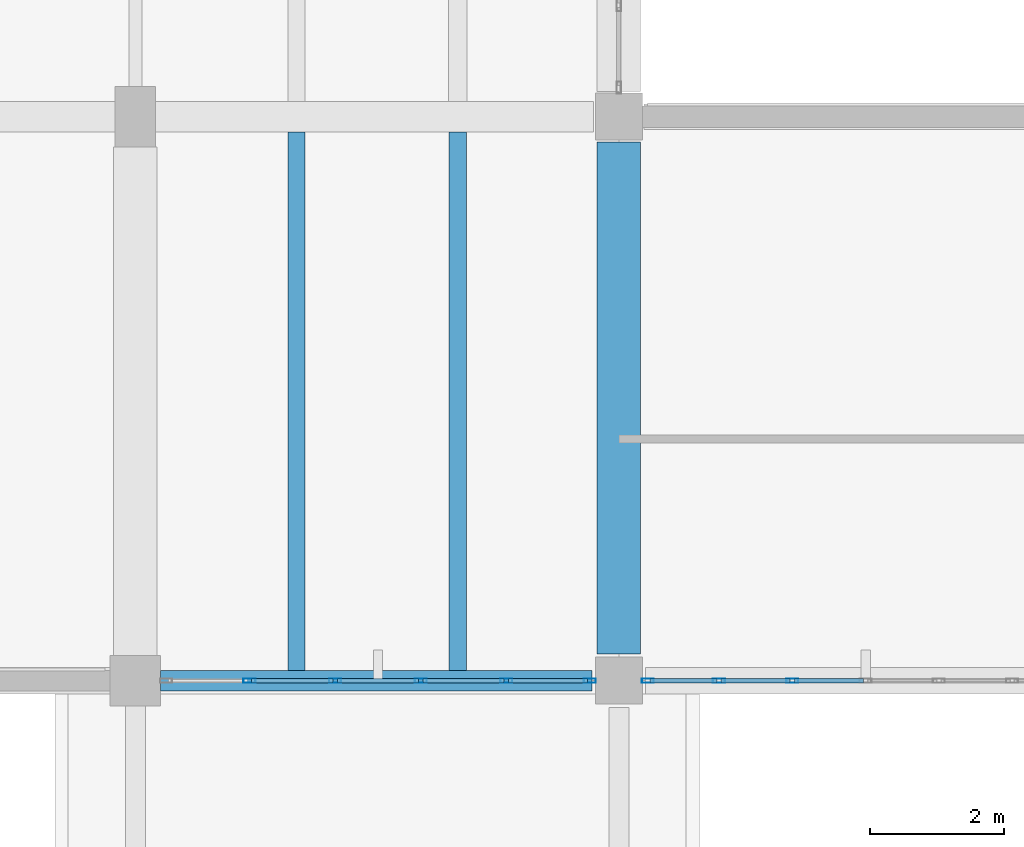
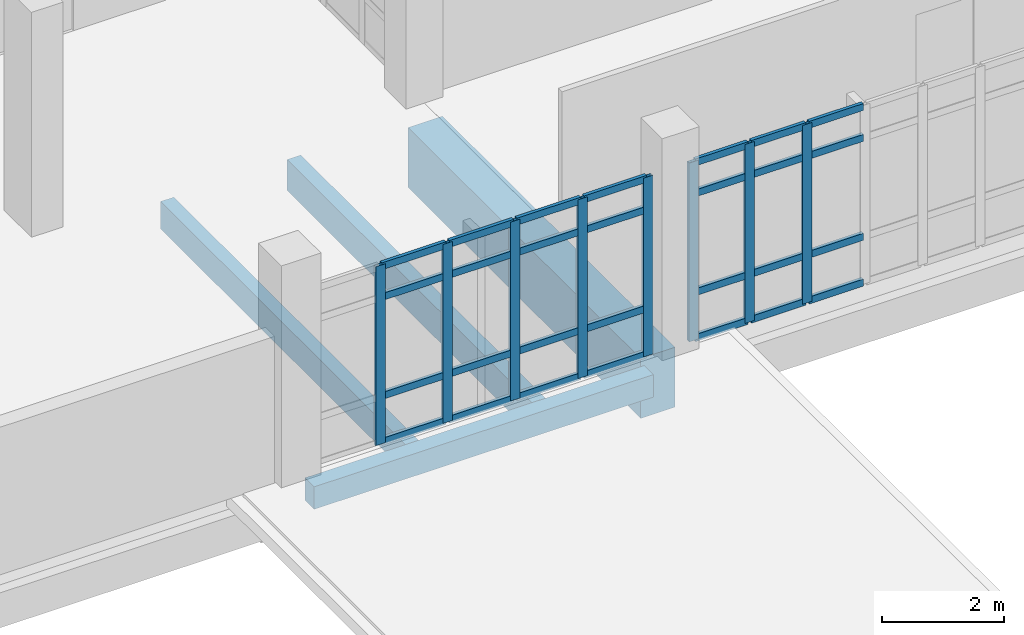
# One storey, part 69 of 134: 36 members, 4 beams, 2 elements without a shape of their own.
"""IFC4 building model written with IfcOpenShell, lengths in metres."""

from ifc_helpers import new_model, si_unit, direction, frame, origin, origin_2d, place, context, subcontext, project, spatial, rectangle, hollow_rectangle, extrude, material, material_profile, profile_set, type_object, element, aggregate, save


model = new_model("IFC4")

# Units and contexts
model_context = context("Model", 3, precision=1e-05, world=origin(), true_north=direction((0.0, 1.0)))
body_context = subcontext(model_context, "Body", "Model", "MODEL_VIEW")
ifc_project = project(units=[si_unit("LENGTHUNIT", "METRE"), si_unit("AREAUNIT", "SQUARE_METRE"), si_unit("VOLUMEUNIT", "CUBIC_METRE"), si_unit("PLANEANGLEUNIT", "RADIAN"), si_unit("MASSUNIT", "GRAM", prefix="KILO")], contexts=[model_context])

# Site, building, storey
site_placement = place(None, origin())
site = spatial("IfcSite", under=ifc_project, at=site_placement, CompositionType="ELEMENT")
building_placement = place(site_placement, origin())
building = spatial("IfcBuilding", under=site, at=building_placement, Name="Kalluvel Institute of Natural Sciences", CompositionType="ELEMENT")
storey_placement = place(building_placement, frame((0.0, 0.0, 5.39990234375)))
storey = spatial("IfcBuildingStorey", under=building, at=storey_placement, Name="L01", CompositionType="ELEMENT", Elevation=5.39990234375)

# Beam
ifc_material_1 = material(Name="Concrete M50", Category="concrete")
ifc_material_profile_1 = material_profile(ifc_material_1, rectangle(XDim=0.64990234375, YDim=1.199951171875, at=origin_2d()), Name="RCB 650x1200")
ifc_profile_set_1 = profile_set([ifc_material_profile_1], Name="Concrete M50")
beam_type_1 = type_object("IfcBeamType", Name="BM-RC650x1200", PredefinedType="BEAM", material=ifc_profile_set_1)
beam_1_placement = place(storey_placement, frame((114.800048828125, 103.199951171875, -0.9599609375), z_axis=(0.0, 1.0, 0.0), x_axis=(-1.0, 0.0, 0.0)))
element("IfcBeam", 1, at=beam_1_placement, inside=storey, type_object=beam_type_1, Name="L01 girder GIR-L01-NS-X1148-Y1028", PredefinedType="BEAM", context=body_context, shape_type="SweptSolid", body=[
    extrude(rectangle(XDim=0.64990234375, YDim=1.199951171875, at=origin_2d()), origin(), (0.0, 0.0, 1.0), 7.625),
])

# Curtain wall, members
ifc_material_2 = material(Name="Aluminium AW-6063 T6", Category="aluminium")
curtain_wall_type_1 = type_object("IfcCurtainWallType", Name="CW-WET-45", PredefinedType="USERDEFINED", material=ifc_material_2)
curtain_wall_1_placement = place(storey_placement, origin())
curtain_wall_1 = element("IfcCurtainWall", 2, at=curtain_wall_1_placement, inside=storey, type_object=curtain_wall_type_1, Name="L01 Gothic lancet curtain wall CWA-L01-X1080-Y1028", ObjectType="UNITISED LANCET FACADE", PredefinedType="USERDEFINED")
ifc_material_profile_2 = material_profile(ifc_material_2, hollow_rectangle(XDim=0.06494140625, YDim=0.179931640625, WallThickness=0.00439453125, at=origin_2d()), Name="CWM 65x180")
ifc_profile_set_2 = profile_set([ifc_material_profile_2], Name="Aluminium AW-6063 T6")
member_type_1 = type_object("IfcMemberType", Name="CWM-65x180", PredefinedType="MULLION", material=ifc_profile_set_2)
member_1_placement = place(storey_placement, frame((109.300048828125, 102.800048828125, 0.0), z_axis=(0.0, 0.0, 1.0), x_axis=(0.0, 1.0, 0.0)))
member_1 = element("IfcMember", 3, at=member_1_placement, type_object=member_type_1, Name="CW-01 mullion 2", PredefinedType="MULLION", context=body_context, shape_type="SweptSolid", body=[
    extrude(hollow_rectangle(XDim=0.06494140625, YDim=0.179931640625, WallThickness=0.00439453125, at=origin_2d()), origin(), (0.0, 0.0, 1.0), 3.580078125),
])
member_2_placement = place(storey_placement, frame((110.574951171875, 102.800048828125, 0.0), z_axis=(0.0, 0.0, 1.0), x_axis=(0.0, 1.0, 0.0)))
member_2 = element("IfcMember", 4, at=member_2_placement, type_object=member_type_1, Name="CW-01 mullion 3", PredefinedType="MULLION", context=body_context, shape_type="SweptSolid", body=[
    extrude(hollow_rectangle(XDim=0.06494140625, YDim=0.179931640625, WallThickness=0.00439453125, at=origin_2d()), origin(), (0.0, 0.0, 1.0), 3.580078125),
])
member_3_placement = place(storey_placement, frame((111.85009765625, 102.800048828125, 0.0), z_axis=(0.0, 0.0, 1.0), x_axis=(0.0, 1.0, 0.0)))
member_3 = element("IfcMember", 5, at=member_3_placement, type_object=member_type_1, Name="CW-01 mullion 4", PredefinedType="MULLION", context=body_context, shape_type="SweptSolid", body=[
    extrude(hollow_rectangle(XDim=0.06494140625, YDim=0.179931640625, WallThickness=0.00439453125, at=origin_2d()), origin(), (0.0, 0.0, 1.0), 3.580078125),
])
member_4_placement = place(storey_placement, frame((113.125, 102.800048828125, 0.0), z_axis=(0.0, 0.0, 1.0), x_axis=(0.0, 1.0, 0.0)))
member_4 = element("IfcMember", 6, at=member_4_placement, type_object=member_type_1, Name="CW-01 mullion 5", PredefinedType="MULLION", context=body_context, shape_type="SweptSolid", body=[
    extrude(hollow_rectangle(XDim=0.06494140625, YDim=0.179931640625, WallThickness=0.00439453125, at=origin_2d()), origin(), (0.0, 0.0, 1.0), 3.580078125),
])
member_5_placement = place(storey_placement, frame((114.367431640625, 102.800048828125, 0.0), z_axis=(0.0, 0.0, 1.0), x_axis=(0.0, 1.0, 0.0)))
member_5 = element("IfcMember", 7, at=member_5_placement, type_object=member_type_1, Name="CW-01 mullion 6", PredefinedType="MULLION", context=body_context, shape_type="SweptSolid", body=[
    extrude(hollow_rectangle(XDim=0.06494140625, YDim=0.179931640625, WallThickness=0.00439453125, at=origin_2d()), origin(), (0.0, 0.0, 1.0), 3.580078125),
])

curtain_wall_type_2 = type_object("IfcCurtainWallType", Name="CW-CLN-45", PredefinedType="USERDEFINED", material=ifc_material_2)
curtain_wall_2_placement = place(storey_placement, origin())
curtain_wall_2 = element("IfcCurtainWall", 8, at=curtain_wall_2_placement, inside=storey, type_object=curtain_wall_type_2, Name="L01 Gothic lancet curtain wall CWA-L01-X1152-Y1028", ObjectType="UNITISED LANCET FACADE", PredefinedType="USERDEFINED")
member_6_placement = place(storey_placement, frame((115.232421875, 102.800048828125, 0.0), z_axis=(0.0, 0.0, 1.0), x_axis=(0.0, 1.0, 0.0)))
member_6 = element("IfcMember", 9, at=member_6_placement, type_object=member_type_1, Name="CW-08 mullion 1", PredefinedType="MULLION", context=body_context, shape_type="SweptSolid", body=[
    extrude(hollow_rectangle(XDim=0.06494140625, YDim=0.179931640625, WallThickness=0.00439453125, at=origin_2d()), origin(), (0.0, 0.0, 1.0), 3.580078125),
])
member_7_placement = place(storey_placement, frame((116.291748046875, 102.800048828125, 0.0), z_axis=(0.0, 0.0, 1.0), x_axis=(0.0, 1.0, 0.0)))
member_7 = element("IfcMember", 10, at=member_7_placement, type_object=member_type_1, Name="CW-08 mullion 2", PredefinedType="MULLION", context=body_context, shape_type="SweptSolid", body=[
    extrude(hollow_rectangle(XDim=0.06494140625, YDim=0.179931640625, WallThickness=0.00439453125, at=origin_2d()), origin(), (0.0, 0.0, 1.0), 3.580078125),
])
member_8_placement = place(storey_placement, frame((117.38330078125, 102.800048828125, 0.0), z_axis=(0.0, 0.0, 1.0), x_axis=(0.0, 1.0, 0.0)))
member_8 = element("IfcMember", 11, at=member_8_placement, type_object=member_type_1, Name="CW-08 mullion 3", PredefinedType="MULLION", context=body_context, shape_type="SweptSolid", body=[
    extrude(hollow_rectangle(XDim=0.06494140625, YDim=0.179931640625, WallThickness=0.00439453125, at=origin_2d()), origin(), (0.0, 0.0, 1.0), 3.580078125),
])

# Member
ifc_material_profile_3 = material_profile(ifc_material_2, hollow_rectangle(XDim=0.06494140625, YDim=0.139892578125, WallThickness=0.00439453125, at=origin_2d()), Name="CWT 65x140")
ifc_profile_set_3 = profile_set([ifc_material_profile_3], Name="Aluminium AW-6063 T6")
member_type_2 = type_object("IfcMemberType", Name="CWT-65x140", PredefinedType="USERDEFINED", material=ifc_profile_set_3)
member_9_placement = place(storey_placement, frame((109.33251953125, 102.800048828125, 0.03271484375), z_axis=(1.0, 0.0, 0.0), x_axis=(0.0, 1.0, 0.0)))
member_9 = element("IfcMember", 12, at=member_9_placement, type_object=member_type_2, Name="CW-01 transom 2.1", ObjectType="TRANSOM", PredefinedType="USERDEFINED", context=body_context, shape_type="SweptSolid", body=[
    extrude(hollow_rectangle(XDim=0.06494140625, YDim=0.139892578125, WallThickness=0.00439453125, at=origin_2d()), origin(), (0.0, 0.0, 1.0), 1.2099609375),
])

member_10_placement = place(storey_placement, frame((109.33251953125, 102.800048828125, 0.9501953125), z_axis=(1.0, 0.0, 0.0), x_axis=(0.0, 1.0, 0.0)))
member_10 = element("IfcMember", 13, at=member_10_placement, type_object=member_type_2, Name="CW-01 transom 2.2", ObjectType="TRANSOM", PredefinedType="USERDEFINED", context=body_context, shape_type="SweptSolid", body=[
    extrude(hollow_rectangle(XDim=0.06494140625, YDim=0.139892578125, WallThickness=0.00439453125, at=origin_2d()), origin(), (0.0, 0.0, 1.0), 1.2099609375),
])

member_11_placement = place(storey_placement, frame((109.33251953125, 102.800048828125, 2.93017578125), z_axis=(1.0, 0.0, 0.0), x_axis=(0.0, 1.0, 0.0)))
member_11 = element("IfcMember", 14, at=member_11_placement, type_object=member_type_2, Name="CW-01 transom 2.3", ObjectType="TRANSOM", PredefinedType="USERDEFINED", context=body_context, shape_type="SweptSolid", body=[
    extrude(hollow_rectangle(XDim=0.06494140625, YDim=0.139892578125, WallThickness=0.00439453125, at=origin_2d()), origin(), (0.0, 0.0, 1.0), 1.2099609375),
])

member_12_placement = place(storey_placement, frame((109.33251953125, 102.800048828125, 3.547607421875), z_axis=(1.0, 0.0, 0.0), x_axis=(0.0, 1.0, 0.0)))
member_12 = element("IfcMember", 15, at=member_12_placement, type_object=member_type_2, Name="CW-01 transom 2.4", ObjectType="TRANSOM", PredefinedType="USERDEFINED", context=body_context, shape_type="SweptSolid", body=[
    extrude(hollow_rectangle(XDim=0.06494140625, YDim=0.139892578125, WallThickness=0.00439453125, at=origin_2d()), origin(), (0.0, 0.0, 1.0), 1.2099609375),
])

member_13_placement = place(storey_placement, frame((110.607421875, 102.800048828125, 0.03271484375), z_axis=(1.0, 0.0, 0.0), x_axis=(0.0, 1.0, 0.0)))
member_13 = element("IfcMember", 16, at=member_13_placement, type_object=member_type_2, Name="CW-01 transom 3.1", ObjectType="TRANSOM", PredefinedType="USERDEFINED", context=body_context, shape_type="SweptSolid", body=[
    extrude(hollow_rectangle(XDim=0.06494140625, YDim=0.139892578125, WallThickness=0.00439453125, at=origin_2d()), origin(), (0.0, 0.0, 1.0), 1.2099609375),
])

member_14_placement = place(storey_placement, frame((110.607421875, 102.800048828125, 0.9501953125), z_axis=(1.0, 0.0, 0.0), x_axis=(0.0, 1.0, 0.0)))
member_14 = element("IfcMember", 17, at=member_14_placement, type_object=member_type_2, Name="CW-01 transom 3.2", ObjectType="TRANSOM", PredefinedType="USERDEFINED", context=body_context, shape_type="SweptSolid", body=[
    extrude(hollow_rectangle(XDim=0.06494140625, YDim=0.139892578125, WallThickness=0.00439453125, at=origin_2d()), origin(), (0.0, 0.0, 1.0), 1.2099609375),
])

member_15_placement = place(storey_placement, frame((110.607421875, 102.800048828125, 2.93017578125), z_axis=(1.0, 0.0, 0.0), x_axis=(0.0, 1.0, 0.0)))
member_15 = element("IfcMember", 18, at=member_15_placement, type_object=member_type_2, Name="CW-01 transom 3.3", ObjectType="TRANSOM", PredefinedType="USERDEFINED", context=body_context, shape_type="SweptSolid", body=[
    extrude(hollow_rectangle(XDim=0.06494140625, YDim=0.139892578125, WallThickness=0.00439453125, at=origin_2d()), origin(), (0.0, 0.0, 1.0), 1.2099609375),
])

member_16_placement = place(storey_placement, frame((110.607421875, 102.800048828125, 3.547607421875), z_axis=(1.0, 0.0, 0.0), x_axis=(0.0, 1.0, 0.0)))
member_16 = element("IfcMember", 19, at=member_16_placement, type_object=member_type_2, Name="CW-01 transom 3.4", ObjectType="TRANSOM", PredefinedType="USERDEFINED", context=body_context, shape_type="SweptSolid", body=[
    extrude(hollow_rectangle(XDim=0.06494140625, YDim=0.139892578125, WallThickness=0.00439453125, at=origin_2d()), origin(), (0.0, 0.0, 1.0), 1.2099609375),
])

member_17_placement = place(storey_placement, frame((111.882568359375, 102.800048828125, 0.03271484375), z_axis=(1.0, 0.0, 0.0), x_axis=(0.0, 1.0, 0.0)))
member_17 = element("IfcMember", 20, at=member_17_placement, type_object=member_type_2, Name="CW-01 transom 4.1", ObjectType="TRANSOM", PredefinedType="USERDEFINED", context=body_context, shape_type="SweptSolid", body=[
    extrude(hollow_rectangle(XDim=0.06494140625, YDim=0.139892578125, WallThickness=0.00439453125, at=origin_2d()), origin(), (0.0, 0.0, 1.0), 1.2099609375),
])

member_18_placement = place(storey_placement, frame((111.882568359375, 102.800048828125, 0.9501953125), z_axis=(1.0, 0.0, 0.0), x_axis=(0.0, 1.0, 0.0)))
member_18 = element("IfcMember", 21, at=member_18_placement, type_object=member_type_2, Name="CW-01 transom 4.2", ObjectType="TRANSOM", PredefinedType="USERDEFINED", context=body_context, shape_type="SweptSolid", body=[
    extrude(hollow_rectangle(XDim=0.06494140625, YDim=0.139892578125, WallThickness=0.00439453125, at=origin_2d()), origin(), (0.0, 0.0, 1.0), 1.2099609375),
])

member_19_placement = place(storey_placement, frame((111.882568359375, 102.800048828125, 2.93017578125), z_axis=(1.0, 0.0, 0.0), x_axis=(0.0, 1.0, 0.0)))
member_19 = element("IfcMember", 22, at=member_19_placement, type_object=member_type_2, Name="CW-01 transom 4.3", ObjectType="TRANSOM", PredefinedType="USERDEFINED", context=body_context, shape_type="SweptSolid", body=[
    extrude(hollow_rectangle(XDim=0.06494140625, YDim=0.139892578125, WallThickness=0.00439453125, at=origin_2d()), origin(), (0.0, 0.0, 1.0), 1.2099609375),
])

member_20_placement = place(storey_placement, frame((111.882568359375, 102.800048828125, 3.547607421875), z_axis=(1.0, 0.0, 0.0), x_axis=(0.0, 1.0, 0.0)))
member_20 = element("IfcMember", 23, at=member_20_placement, type_object=member_type_2, Name="CW-01 transom 4.4", ObjectType="TRANSOM", PredefinedType="USERDEFINED", context=body_context, shape_type="SweptSolid", body=[
    extrude(hollow_rectangle(XDim=0.06494140625, YDim=0.139892578125, WallThickness=0.00439453125, at=origin_2d()), origin(), (0.0, 0.0, 1.0), 1.2099609375),
])

member_21_placement = place(storey_placement, frame((113.157470703125, 102.800048828125, 0.03271484375), z_axis=(1.0, 0.0, 0.0), x_axis=(0.0, 1.0, 0.0)))
member_21 = element("IfcMember", 24, at=member_21_placement, type_object=member_type_2, Name="CW-01 transom 5.1", ObjectType="TRANSOM", PredefinedType="USERDEFINED", context=body_context, shape_type="SweptSolid", body=[
    extrude(hollow_rectangle(XDim=0.06494140625, YDim=0.139892578125, WallThickness=0.00439453125, at=origin_2d()), origin(), (0.0, 0.0, 1.0), 1.177490234375),
])

member_22_placement = place(storey_placement, frame((113.157470703125, 102.800048828125, 0.9501953125), z_axis=(1.0, 0.0, 0.0), x_axis=(0.0, 1.0, 0.0)))
member_22 = element("IfcMember", 25, at=member_22_placement, type_object=member_type_2, Name="CW-01 transom 5.2", ObjectType="TRANSOM", PredefinedType="USERDEFINED", context=body_context, shape_type="SweptSolid", body=[
    extrude(hollow_rectangle(XDim=0.06494140625, YDim=0.139892578125, WallThickness=0.00439453125, at=origin_2d()), origin(), (0.0, 0.0, 1.0), 1.177490234375),
])

member_23_placement = place(storey_placement, frame((113.157470703125, 102.800048828125, 2.93017578125), z_axis=(1.0, 0.0, 0.0), x_axis=(0.0, 1.0, 0.0)))
member_23 = element("IfcMember", 26, at=member_23_placement, type_object=member_type_2, Name="CW-01 transom 5.3", ObjectType="TRANSOM", PredefinedType="USERDEFINED", context=body_context, shape_type="SweptSolid", body=[
    extrude(hollow_rectangle(XDim=0.06494140625, YDim=0.139892578125, WallThickness=0.00439453125, at=origin_2d()), origin(), (0.0, 0.0, 1.0), 1.177490234375),
])

member_24_placement = place(storey_placement, frame((113.157470703125, 102.800048828125, 3.547607421875), z_axis=(1.0, 0.0, 0.0), x_axis=(0.0, 1.0, 0.0)))
member_24 = element("IfcMember", 27, at=member_24_placement, type_object=member_type_2, Name="CW-01 transom 5.4", ObjectType="TRANSOM", PredefinedType="USERDEFINED", context=body_context, shape_type="SweptSolid", body=[
    extrude(hollow_rectangle(XDim=0.06494140625, YDim=0.139892578125, WallThickness=0.00439453125, at=origin_2d()), origin(), (0.0, 0.0, 1.0), 1.177490234375),
])

aggregate(curtain_wall_1, [member_1, member_2, member_3, member_4, member_5, member_9, member_10, member_11, member_12, member_13, member_14, member_15, member_16, member_17, member_18, member_19, member_20, member_21, member_22, member_23, member_24])

member_25_placement = place(storey_placement, frame((115.264892578125, 102.800048828125, 0.03271484375), z_axis=(1.0, 0.0, 0.0), x_axis=(0.0, 1.0, 0.0)))
member_25 = element("IfcMember", 28, at=member_25_placement, type_object=member_type_2, Name="CW-08 transom 1.1", ObjectType="TRANSOM", PredefinedType="USERDEFINED", context=body_context, shape_type="SweptSolid", body=[
    extrude(hollow_rectangle(XDim=0.06494140625, YDim=0.139892578125, WallThickness=0.00439453125, at=origin_2d()), origin(), (0.0, 0.0, 1.0), 0.994384765625),
])

member_26_placement = place(storey_placement, frame((115.264892578125, 102.800048828125, 0.9501953125), z_axis=(1.0, 0.0, 0.0), x_axis=(0.0, 1.0, 0.0)))
member_26 = element("IfcMember", 29, at=member_26_placement, type_object=member_type_2, Name="CW-08 transom 1.2", ObjectType="TRANSOM", PredefinedType="USERDEFINED", context=body_context, shape_type="SweptSolid", body=[
    extrude(hollow_rectangle(XDim=0.06494140625, YDim=0.139892578125, WallThickness=0.00439453125, at=origin_2d()), origin(), (0.0, 0.0, 1.0), 0.994384765625),
])

member_27_placement = place(storey_placement, frame((115.264892578125, 102.800048828125, 2.93017578125), z_axis=(1.0, 0.0, 0.0), x_axis=(0.0, 1.0, 0.0)))
member_27 = element("IfcMember", 30, at=member_27_placement, type_object=member_type_2, Name="CW-08 transom 1.3", ObjectType="TRANSOM", PredefinedType="USERDEFINED", context=body_context, shape_type="SweptSolid", body=[
    extrude(hollow_rectangle(XDim=0.06494140625, YDim=0.139892578125, WallThickness=0.00439453125, at=origin_2d()), origin(), (0.0, 0.0, 1.0), 0.994384765625),
])

member_28_placement = place(storey_placement, frame((115.264892578125, 102.800048828125, 3.547607421875), z_axis=(1.0, 0.0, 0.0), x_axis=(0.0, 1.0, 0.0)))
member_28 = element("IfcMember", 31, at=member_28_placement, type_object=member_type_2, Name="CW-08 transom 1.4", ObjectType="TRANSOM", PredefinedType="USERDEFINED", context=body_context, shape_type="SweptSolid", body=[
    extrude(hollow_rectangle(XDim=0.06494140625, YDim=0.139892578125, WallThickness=0.00439453125, at=origin_2d()), origin(), (0.0, 0.0, 1.0), 0.994384765625),
])

member_29_placement = place(storey_placement, frame((116.32421875, 102.800048828125, 0.03271484375), z_axis=(1.0, 0.0, 0.0), x_axis=(0.0, 1.0, 0.0)))
member_29 = element("IfcMember", 32, at=member_29_placement, type_object=member_type_2, Name="CW-08 transom 2.1", ObjectType="TRANSOM", PredefinedType="USERDEFINED", context=body_context, shape_type="SweptSolid", body=[
    extrude(hollow_rectangle(XDim=0.06494140625, YDim=0.139892578125, WallThickness=0.00439453125, at=origin_2d()), origin(), (0.0, 0.0, 1.0), 1.026611328125),
])

member_30_placement = place(storey_placement, frame((116.32421875, 102.800048828125, 0.9501953125), z_axis=(1.0, 0.0, 0.0), x_axis=(0.0, 1.0, 0.0)))
member_30 = element("IfcMember", 33, at=member_30_placement, type_object=member_type_2, Name="CW-08 transom 2.2", ObjectType="TRANSOM", PredefinedType="USERDEFINED", context=body_context, shape_type="SweptSolid", body=[
    extrude(hollow_rectangle(XDim=0.06494140625, YDim=0.139892578125, WallThickness=0.00439453125, at=origin_2d()), origin(), (0.0, 0.0, 1.0), 1.026611328125),
])

member_31_placement = place(storey_placement, frame((116.32421875, 102.800048828125, 2.93017578125), z_axis=(1.0, 0.0, 0.0), x_axis=(0.0, 1.0, 0.0)))
member_31 = element("IfcMember", 34, at=member_31_placement, type_object=member_type_2, Name="CW-08 transom 2.3", ObjectType="TRANSOM", PredefinedType="USERDEFINED", context=body_context, shape_type="SweptSolid", body=[
    extrude(hollow_rectangle(XDim=0.06494140625, YDim=0.139892578125, WallThickness=0.00439453125, at=origin_2d()), origin(), (0.0, 0.0, 1.0), 1.026611328125),
])

member_32_placement = place(storey_placement, frame((116.32421875, 102.800048828125, 3.547607421875), z_axis=(1.0, 0.0, 0.0), x_axis=(0.0, 1.0, 0.0)))
member_32 = element("IfcMember", 35, at=member_32_placement, type_object=member_type_2, Name="CW-08 transom 2.4", ObjectType="TRANSOM", PredefinedType="USERDEFINED", context=body_context, shape_type="SweptSolid", body=[
    extrude(hollow_rectangle(XDim=0.06494140625, YDim=0.139892578125, WallThickness=0.00439453125, at=origin_2d()), origin(), (0.0, 0.0, 1.0), 1.026611328125),
])

member_33_placement = place(storey_placement, frame((117.415771484375, 102.800048828125, 0.03271484375), z_axis=(1.0, 0.0, 0.0), x_axis=(0.0, 1.0, 0.0)))
member_33 = element("IfcMember", 36, at=member_33_placement, type_object=member_type_2, Name="CW-08 transom 3.1", ObjectType="TRANSOM", PredefinedType="USERDEFINED", context=body_context, shape_type="SweptSolid", body=[
    extrude(hollow_rectangle(XDim=0.06494140625, YDim=0.139892578125, WallThickness=0.00439453125, at=origin_2d()), origin(), (0.0, 0.0, 1.0), 1.026611328125),
])

member_34_placement = place(storey_placement, frame((117.415771484375, 102.800048828125, 0.9501953125), z_axis=(1.0, 0.0, 0.0), x_axis=(0.0, 1.0, 0.0)))
member_34 = element("IfcMember", 37, at=member_34_placement, type_object=member_type_2, Name="CW-08 transom 3.2", ObjectType="TRANSOM", PredefinedType="USERDEFINED", context=body_context, shape_type="SweptSolid", body=[
    extrude(hollow_rectangle(XDim=0.06494140625, YDim=0.139892578125, WallThickness=0.00439453125, at=origin_2d()), origin(), (0.0, 0.0, 1.0), 1.026611328125),
])

member_35_placement = place(storey_placement, frame((117.415771484375, 102.800048828125, 2.93017578125), z_axis=(1.0, 0.0, 0.0), x_axis=(0.0, 1.0, 0.0)))
member_35 = element("IfcMember", 38, at=member_35_placement, type_object=member_type_2, Name="CW-08 transom 3.3", ObjectType="TRANSOM", PredefinedType="USERDEFINED", context=body_context, shape_type="SweptSolid", body=[
    extrude(hollow_rectangle(XDim=0.06494140625, YDim=0.139892578125, WallThickness=0.00439453125, at=origin_2d()), origin(), (0.0, 0.0, 1.0), 1.026611328125),
])

member_36_placement = place(storey_placement, frame((117.415771484375, 102.800048828125, 3.547607421875), z_axis=(1.0, 0.0, 0.0), x_axis=(0.0, 1.0, 0.0)))
member_36 = element("IfcMember", 39, at=member_36_placement, type_object=member_type_2, Name="CW-08 transom 3.4", ObjectType="TRANSOM", PredefinedType="USERDEFINED", context=body_context, shape_type="SweptSolid", body=[
    extrude(hollow_rectangle(XDim=0.06494140625, YDim=0.139892578125, WallThickness=0.00439453125, at=origin_2d()), origin(), (0.0, 0.0, 1.0), 1.026611328125),
])

aggregate(curtain_wall_2, [member_6, member_7, member_8, member_25, member_26, member_27, member_28, member_29, member_30, member_31, member_32, member_33, member_34, member_35, member_36])

# Beams
ifc_material_3 = material(Name="Concrete M40", Category="concrete")
ifc_material_profile_4 = material_profile(ifc_material_3, rectangle(XDim=0.300048828125, YDim=0.449951171875, at=origin_2d()), Name="RCB 300x450")
ifc_profile_set_4 = profile_set([ifc_material_profile_4], Name="Concrete M40")
beam_type_2 = type_object("IfcBeamType", Name="SP-RC300x450", PredefinedType="SPANDREL", material=ifc_profile_set_4)
beam_2_placement = place(storey_placement, frame((107.97509765625, 102.800048828125, -0.544921875), z_axis=(1.0, 0.0, 0.0), x_axis=(0.0, 1.0, 0.0)))
element("IfcBeam", 40, at=beam_2_placement, inside=storey, type_object=beam_type_2, Name="L01 girder GIR-L01-EW-X1076-Y1028", PredefinedType="SPANDREL", context=body_context, shape_type="SweptSolid", body=[
    extrude(rectangle(XDim=0.300048828125, YDim=0.449951171875, at=origin_2d()), origin(), (0.0, 0.0, 1.0), 6.4248046875),
])
ifc_material_profile_5 = material_profile(ifc_material_3, rectangle(XDim=0.25, YDim=0.550048828125, at=origin_2d()), Name="WAF 250x550")
ifc_profile_set_5 = profile_set([ifc_material_profile_5], Name="Concrete M40")
beam_type_3 = type_object("IfcBeamType", Name="WJ-250x550", PredefinedType="JOIST", material=ifc_profile_set_5)
beam_3_placement = place(storey_placement, frame((110.0, 102.949951171875, -0.594970703125), z_axis=(0.0, 1.0, 0.0), x_axis=(-1.0, 0.0, 0.0)))
element("IfcBeam", 41, at=beam_3_placement, inside=storey, type_object=beam_type_3, Name="L01 waffle joist RIB-L01-0137", PredefinedType="JOIST", context=body_context, shape_type="SweptSolid", body=[
    extrude(rectangle(XDim=0.25, YDim=0.550048828125, at=origin_2d()), origin(), (0.0, 0.0, 1.0), 8.025146484375),
])
ifc_material_profile_6 = material_profile(ifc_material_1, rectangle(XDim=0.260009765625, YDim=0.6201171875, at=origin_2d()), Name="WAF 260x620")
ifc_profile_set_6 = profile_set([ifc_material_profile_6], Name="Concrete M50")
beam_type_4 = type_object("IfcBeamType", Name="WJ-260x620", PredefinedType="JOIST", material=ifc_profile_set_6)
beam_4_placement = place(storey_placement, frame((112.39990234375, 102.949951171875, -0.6298828125), z_axis=(0.0, 1.0, 0.0), x_axis=(-1.0, 0.0, 0.0)))
element("IfcBeam", 42, at=beam_4_placement, inside=storey, type_object=beam_type_4, Name="L01 waffle joist RIB-L01-0138", PredefinedType="JOIST", context=body_context, shape_type="SweptSolid", body=[
    extrude(rectangle(XDim=0.260009765625, YDim=0.6201171875, at=origin_2d()), origin(), (0.0, 0.0, 1.0), 8.025146484375),
])

save(model, "model.ifc")
